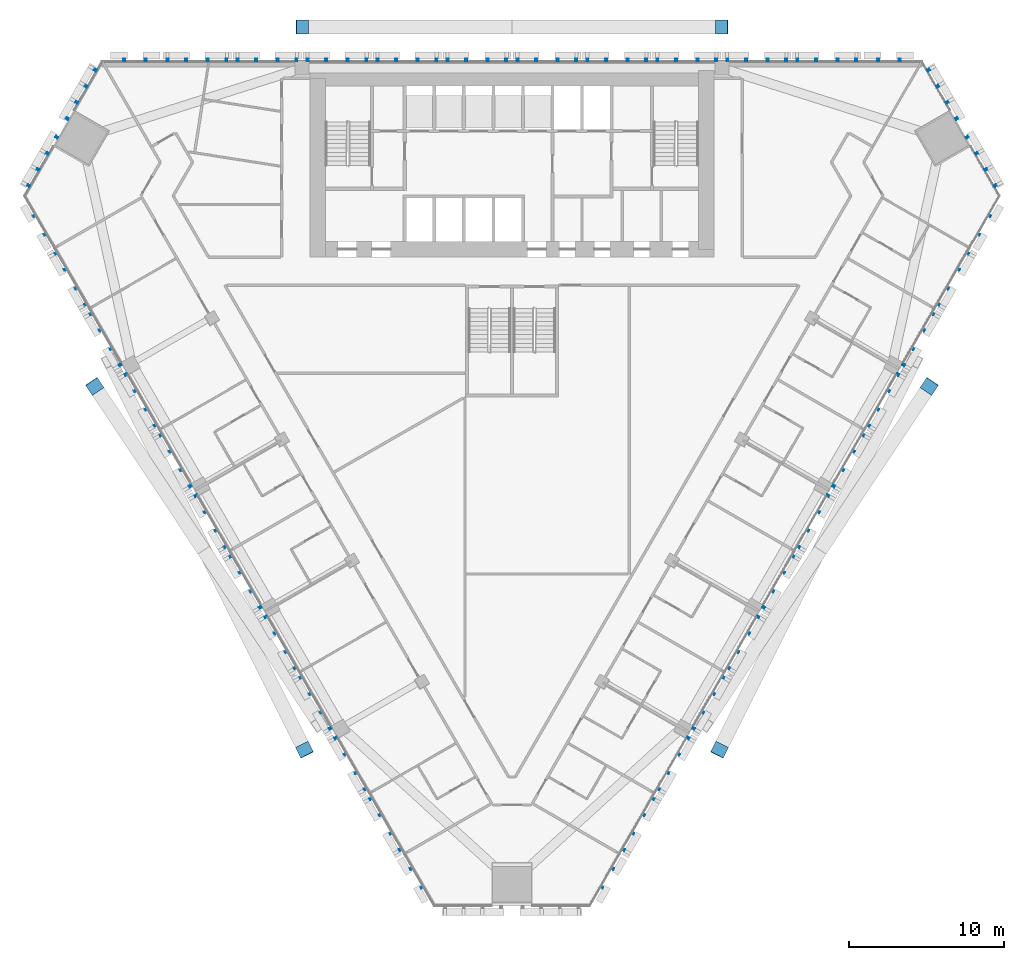
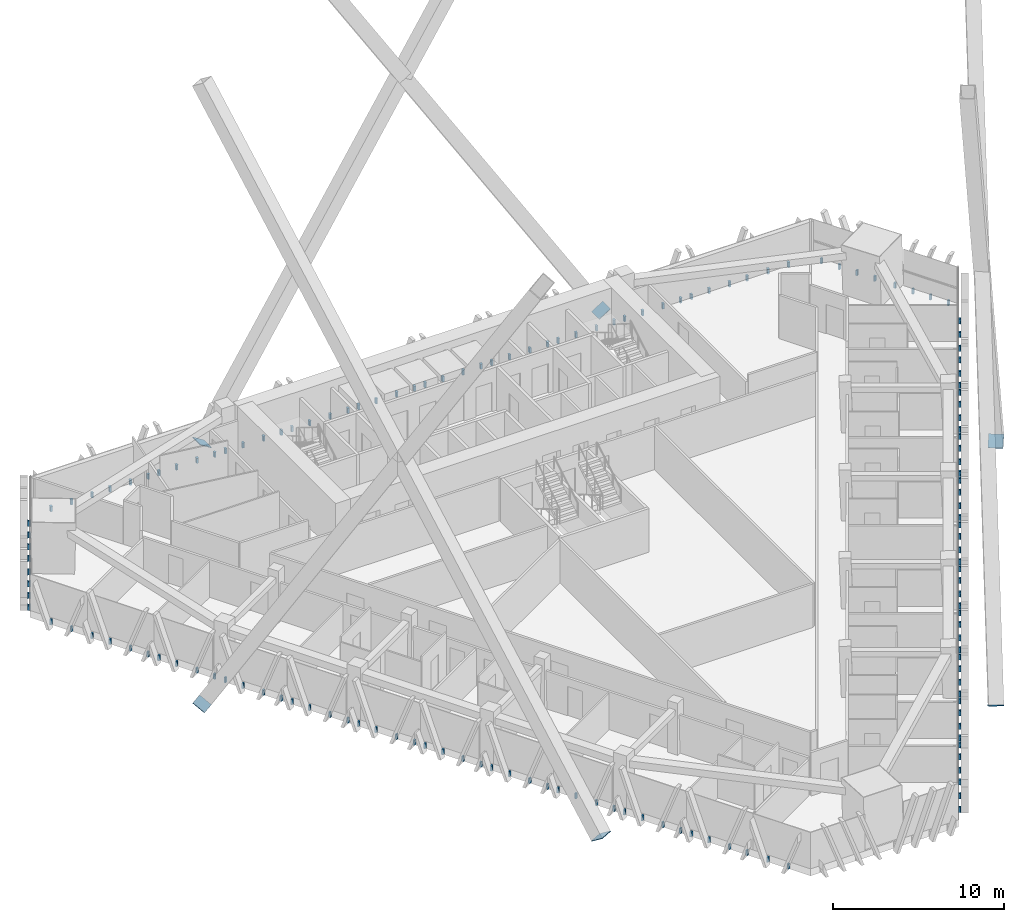
# One storey, part 21 of 24: 11 discrete accessories.
"""IFC4 building model written with IfcOpenShell, lengths in metres."""

from ifc_helpers import new_model, si_unit, direction, frame, origin, origin_2d, place, context, subcontext, project, spatial, polyline, rectangle, outline, extrude, source, transform, mapped, material, material_profile, profile_set, type_object, element, save


model = new_model("IFC4")

# Units and contexts
model_context = context("Model", 3, precision=1e-05, world=origin(), true_north=direction((0.0, 1.0)))
body_context = subcontext(model_context, "Body", "Model", "MODEL_VIEW")
ifc_project = project(units=[si_unit("LENGTHUNIT", "METRE"), si_unit("AREAUNIT", "SQUARE_METRE"), si_unit("VOLUMEUNIT", "CUBIC_METRE"), si_unit("PLANEANGLEUNIT", "RADIAN"), si_unit("MASSUNIT", "GRAM", prefix="KILO")], contexts=[model_context])

# Site, building, storey
site_placement = place(None, origin())
site = spatial("IfcSite", under=ifc_project, at=site_placement, CompositionType="ELEMENT")
building_placement = place(site_placement, origin())
building = spatial("IfcBuilding", under=site, at=building_placement, Name="Altiplano Prism Tower", CompositionType="ELEMENT")
storey_placement = place(building_placement, frame((0.0, 0.0, 27.0)))
storey = spatial("IfcBuildingStorey", under=building, at=storey_placement, Name="L05", CompositionType="ELEMENT", Elevation=27.0)

# Discrete accessories
ifc_material_1 = material(Name="Steel S355", Category="steel")
ifc_material_profile = material_profile(ifc_material_1, rectangle(XDim=0.89990234375, YDim=0.89990234375, at=origin_2d()), Name="Brace end plate 900x900x40")
ifc_profile_set = profile_set([ifc_material_profile], Name="Steel S355")
discrete_accessory_type_1 = type_object("IfcDiscreteAccessoryType", Name="Brace end plate 900x900x40", PredefinedType="ANCHORPLATE", material=ifc_profile_set)
for number, where, z_axis, x_axis, name in (
    (1, (98.5, 107.199951171875, -0.85009765625), (-0.530546985787, 0.0, 0.847655529016), (0.0, -1.0, 0.0), "Brace end plate Mega brace 1.0.1 end 1"),
    (2, (71.5, 107.199951171875, -0.85009765625), (0.530546985787, 0.0, 0.847655529016), (0.0, 1.0, 0.0), "Brace end plate Mega brace 1.0.3 end 1"),
    (3, (58.158203125, 84.09130859375, -0.85009765625), (0.286085874914, -0.426085345616, 0.858257624741), (0.830221130891, 0.557434187884, 0.0), "Brace end plate Mega brace 1.1.1 end 1"),
    (4, (71.658203125, 60.708740234375, -0.85009765625), (-0.243952330273, 0.48180585229, 0.841635539443), (-0.892157158155, -0.45172514337, 0.0), "Brace end plate Mega brace 1.1.3 end 1"),
    (5, (98.341796875, 60.708740234375, -0.85009765625), (0.243952330273, 0.48180585229, 0.841635539443), (-0.892157158155, 0.45172514337, 0.0), "Brace end plate Mega brace 1.2.1 end 1"),
    (6, (111.841796875, 84.09130859375, -0.85009765625), (-0.286085874914, -0.426085345616, 0.858257624741), (0.830221130891, -0.557434187884, 0.0), "Brace end plate Mega brace 1.2.3 end 1"),
):
    element("IfcDiscreteAccessory", number, at=place(storey_placement, frame(where, z_axis=z_axis, x_axis=x_axis)), inside=storey, type_object=discrete_accessory_type_1, Name=name, PredefinedType="ANCHORPLATE", context=body_context, shape_type="SweptSolid", body=[
        extrude(rectangle(XDim=0.89990234375, YDim=0.89990234375, at=origin_2d()), origin(), (0.0, 0.0, 1.0), 0.0400390625),
    ])
ifc_material_2 = material(Name="Stainless steel", Category="steel")
discrete_accessory_type_2 = type_object("IfcDiscreteAccessoryType", Name="Stone fin fixing prongs", PredefinedType="USERDEFINED", material=ifc_material_2)
shared_shape_1 = source(origin(), body_context, "Body", "SweptSolid", [
    extrude(outline(polyline([(-0.7509765625, 0.06005859375), (-0.631103515625, 0.06005859375), (-0.631103515625, 0.43994140625), (-0.7509765625, 0.43994140625), (-0.7509765625, 0.06005859375)])), frame((0.0, 0.0, 0.0), z_axis=(0.0, -1.0, 0.0), x_axis=(1.0, 0.0, 0.0)), (0.0, 0.0, 1.0), 0.14990234375),
    extrude(outline(polyline([(0.631103515625, 0.06005859375), (0.7509765625, 0.06005859375), (0.7509765625, 0.43994140625), (0.631103515625, 0.43994140625), (0.631103515625, 0.06005859375)])), frame((0.0, 0.0, 0.0), z_axis=(0.0, -1.0, 0.0), x_axis=(1.0, 0.0, 0.0)), (0.0, 0.0, 1.0), 0.14990234375),
])
shared_shape_2 = source(origin(), body_context, "Body", "SweptSolid", [
    extrude(outline(polyline([(-1.950927734375, 0.06005859375), (-1.8310546875, 0.06005859375), (-1.8310546875, 0.43994140625), (-1.950927734375, 0.43994140625), (-1.950927734375, 0.06005859375)])), frame((0.0, 0.0, 0.0), z_axis=(0.0, -1.0, 0.0), x_axis=(1.0, 0.0, 0.0)), (0.0, 0.0, 1.0), 0.14990234375),
    extrude(outline(polyline([(-0.7509765625, 0.06005859375), (-0.631103515625, 0.06005859375), (-0.631103515625, 0.43994140625), (-0.7509765625, 0.43994140625), (-0.7509765625, 0.06005859375)])), frame((0.0, 0.0, 0.0), z_axis=(0.0, -1.0, 0.0), x_axis=(1.0, 0.0, 0.0)), (0.0, 0.0, 1.0), 0.14990234375),
    extrude(outline(polyline([(0.631103515625, 0.06005859375), (0.7509765625, 0.06005859375), (0.7509765625, 0.43994140625), (0.631103515625, 0.43994140625), (0.631103515625, 0.06005859375)])), frame((0.0, 0.0, 0.0), z_axis=(0.0, -1.0, 0.0), x_axis=(1.0, 0.0, 0.0)), (0.0, 0.0, 1.0), 0.14990234375),
    extrude(outline(polyline([(1.8310546875, 0.06005859375), (1.950927734375, 0.06005859375), (1.950927734375, 0.43994140625), (1.8310546875, 0.43994140625), (1.8310546875, 0.06005859375)])), frame((0.0, 0.0, 0.0), z_axis=(0.0, -1.0, 0.0), x_axis=(1.0, 0.0, 0.0)), (0.0, 0.0, 1.0), 0.14990234375),
])
discrete_accessory_1_placement = place(storey_placement, origin())
element("IfcDiscreteAccessory", 7, at=discrete_accessory_1_placement, inside=storey, type_object=discrete_accessory_type_2, Name="Fin fixings L05 north face", ObjectType="BRACKET", PredefinedType="USERDEFINED", context=body_context, shape_type="MappedRepresentation", body=[
    mapped(shared_shape_1, transform((109.236572265625, 105.0, -0.5), x_axis=(-1.0, 0.0, 0.0), y_axis=(0.0, -1.0, 0.0), z_axis=(0.0, 0.0, 1.0))),
    mapped(shared_shape_2, transform((105.25, 105.0, -0.5), x_axis=(-1.0, 0.0, 0.0), y_axis=(0.0, -1.0, 0.0), z_axis=(0.0, 0.0, 1.0))),
    mapped(shared_shape_2, transform((100.75, 105.0, -0.5), x_axis=(-1.0, 0.0, 0.0), y_axis=(0.0, -1.0, 0.0), z_axis=(0.0, 0.0, 1.0))),
    mapped(shared_shape_2, transform((96.25, 105.0, -0.5), x_axis=(-1.0, 0.0, 0.0), y_axis=(0.0, -1.0, 0.0), z_axis=(0.0, 0.0, 1.0))),
    mapped(shared_shape_2, transform((91.75, 105.0, -0.5), x_axis=(-1.0, 0.0, 0.0), y_axis=(0.0, -1.0, 0.0), z_axis=(0.0, 0.0, 1.0))),
    mapped(shared_shape_2, transform((87.25, 105.0, -0.5), x_axis=(-1.0, 0.0, 0.0), y_axis=(0.0, -1.0, 0.0), z_axis=(0.0, 0.0, 1.0))),
    mapped(shared_shape_2, transform((82.75, 105.0, -0.5), x_axis=(-1.0, 0.0, 0.0), y_axis=(0.0, -1.0, 0.0), z_axis=(0.0, 0.0, 1.0))),
    mapped(shared_shape_2, transform((78.25, 105.0, -0.5), x_axis=(-1.0, 0.0, 0.0), y_axis=(0.0, -1.0, 0.0), z_axis=(0.0, 0.0, 1.0))),
    mapped(shared_shape_2, transform((73.75, 105.0, -0.5), x_axis=(-1.0, 0.0, 0.0), y_axis=(0.0, -1.0, 0.0), z_axis=(0.0, 0.0, 1.0))),
    mapped(shared_shape_2, transform((69.25, 105.0, -0.5), x_axis=(-1.0, 0.0, 0.0), y_axis=(0.0, -1.0, 0.0), z_axis=(0.0, 0.0, 1.0))),
    mapped(shared_shape_2, transform((64.75, 105.0, -0.5), x_axis=(-1.0, 0.0, 0.0), y_axis=(0.0, -1.0, 0.0), z_axis=(0.0, 0.0, 1.0))),
    mapped(shared_shape_1, transform((60.763427734375, 105.0, -0.5), x_axis=(-1.0, 0.0, 0.0), y_axis=(0.0, -1.0, 0.0), z_axis=(0.0, 0.0, 1.0))),
])
discrete_accessory_2_placement = place(storey_placement, origin())
element("IfcDiscreteAccessory", 8, at=discrete_accessory_2_placement, inside=storey, type_object=discrete_accessory_type_2, Name="Fin fixings L05 south-west face", ObjectType="BRACKET", PredefinedType="USERDEFINED", context=body_context, shape_type="MappedRepresentation", body=[
    mapped(shared_shape_1, transform((54.6953125, 94.489501953125, -0.5), x_axis=(0.499999999907, -0.866025403838, 0.0), y_axis=(0.866025403838, 0.499999999907, 0.0), z_axis=(0.0, 0.0, 1.0))),
    mapped(shared_shape_2, transform((56.6884765625, 91.037109375, -0.5), x_axis=(0.499999999907, -0.866025403838, 0.0), y_axis=(0.866025403838, 0.499999999907, 0.0), z_axis=(0.0, 0.0, 1.0))),
    mapped(shared_shape_2, transform((58.9384765625, 87.139892578125, -0.5), x_axis=(0.499999999907, -0.866025403838, 0.0), y_axis=(0.866025403838, 0.499999999907, 0.0), z_axis=(0.0, 0.0, 1.0))),
    mapped(shared_shape_2, transform((61.1884765625, 83.24267578125, -0.5), x_axis=(0.499999999907, -0.866025403838, 0.0), y_axis=(0.866025403838, 0.499999999907, 0.0), z_axis=(0.0, 0.0, 1.0))),
    mapped(shared_shape_2, transform((63.4384765625, 79.345703125, -0.5), x_axis=(0.499999999907, -0.866025403838, 0.0), y_axis=(0.866025403838, 0.499999999907, 0.0), z_axis=(0.0, 0.0, 1.0))),
    mapped(shared_shape_2, transform((65.6884765625, 75.448486328125, -0.5), x_axis=(0.499999999907, -0.866025403838, 0.0), y_axis=(0.866025403838, 0.499999999907, 0.0), z_axis=(0.0, 0.0, 1.0))),
    mapped(shared_shape_2, transform((67.9384765625, 71.551513671875, -0.5), x_axis=(0.499999999907, -0.866025403838, 0.0), y_axis=(0.866025403838, 0.499999999907, 0.0), z_axis=(0.0, 0.0, 1.0))),
    mapped(shared_shape_2, transform((70.1884765625, 67.654296875, -0.5), x_axis=(0.499999999907, -0.866025403838, 0.0), y_axis=(0.866025403838, 0.499999999907, 0.0), z_axis=(0.0, 0.0, 1.0))),
    mapped(shared_shape_2, transform((72.4384765625, 63.75732421875, -0.5), x_axis=(0.499999999907, -0.866025403838, 0.0), y_axis=(0.866025403838, 0.499999999907, 0.0), z_axis=(0.0, 0.0, 1.0))),
    mapped(shared_shape_2, transform((74.6884765625, 59.860107421875, -0.5), x_axis=(0.499999999907, -0.866025403838, 0.0), y_axis=(0.866025403838, 0.499999999907, 0.0), z_axis=(0.0, 0.0, 1.0))),
    mapped(shared_shape_2, transform((76.9384765625, 55.962890625, -0.5), x_axis=(0.499999999907, -0.866025403838, 0.0), y_axis=(0.866025403838, 0.499999999907, 0.0), z_axis=(0.0, 0.0, 1.0))),
    mapped(shared_shape_1, transform((78.931640625, 52.510498046875, -0.5), x_axis=(0.499999999907, -0.866025403838, 0.0), y_axis=(0.866025403838, 0.499999999907, 0.0), z_axis=(0.0, 0.0, 1.0))),
])
discrete_accessory_3_placement = place(storey_placement, origin())
element("IfcDiscreteAccessory", 9, at=discrete_accessory_3_placement, inside=storey, type_object=discrete_accessory_type_2, Name="Fin fixings L05 south-east face", ObjectType="BRACKET", PredefinedType="USERDEFINED", context=body_context, shape_type="MappedRepresentation", body=[
    mapped(shared_shape_1, transform((91.068359375, 52.510498046875, -0.5), x_axis=(0.499999999907, 0.866025403838, 0.0), y_axis=(-0.866025403838, 0.499999999907, 0.0), z_axis=(0.0, 0.0, 1.0))),
    mapped(shared_shape_2, transform((93.0615234375, 55.962890625, -0.5), x_axis=(0.499999999907, 0.866025403838, 0.0), y_axis=(-0.866025403838, 0.499999999907, 0.0), z_axis=(0.0, 0.0, 1.0))),
    mapped(shared_shape_2, transform((95.3115234375, 59.860107421875, -0.5), x_axis=(0.499999999907, 0.866025403838, 0.0), y_axis=(-0.866025403838, 0.499999999907, 0.0), z_axis=(0.0, 0.0, 1.0))),
    mapped(shared_shape_2, transform((97.5615234375, 63.75732421875, -0.5), x_axis=(0.499999999907, 0.866025403838, 0.0), y_axis=(-0.866025403838, 0.499999999907, 0.0), z_axis=(0.0, 0.0, 1.0))),
    mapped(shared_shape_2, transform((99.8115234375, 67.654296875, -0.5), x_axis=(0.499999999907, 0.866025403838, 0.0), y_axis=(-0.866025403838, 0.499999999907, 0.0), z_axis=(0.0, 0.0, 1.0))),
    mapped(shared_shape_2, transform((102.0615234375, 71.551513671875, -0.5), x_axis=(0.499999999907, 0.866025403838, 0.0), y_axis=(-0.866025403838, 0.499999999907, 0.0), z_axis=(0.0, 0.0, 1.0))),
    mapped(shared_shape_2, transform((104.3115234375, 75.448486328125, -0.5), x_axis=(0.499999999907, 0.866025403838, 0.0), y_axis=(-0.866025403838, 0.499999999907, 0.0), z_axis=(0.0, 0.0, 1.0))),
    mapped(shared_shape_2, transform((106.5615234375, 79.345703125, -0.5), x_axis=(0.499999999907, 0.866025403838, 0.0), y_axis=(-0.866025403838, 0.499999999907, 0.0), z_axis=(0.0, 0.0, 1.0))),
    mapped(shared_shape_2, transform((108.8115234375, 83.24267578125, -0.5), x_axis=(0.499999999907, 0.866025403838, 0.0), y_axis=(-0.866025403838, 0.499999999907, 0.0), z_axis=(0.0, 0.0, 1.0))),
    mapped(shared_shape_2, transform((111.0615234375, 87.139892578125, -0.5), x_axis=(0.499999999907, 0.866025403838, 0.0), y_axis=(-0.866025403838, 0.499999999907, 0.0), z_axis=(0.0, 0.0, 1.0))),
    mapped(shared_shape_2, transform((113.3115234375, 91.037109375, -0.5), x_axis=(0.499999999907, 0.866025403838, 0.0), y_axis=(-0.866025403838, 0.499999999907, 0.0), z_axis=(0.0, 0.0, 1.0))),
    mapped(shared_shape_1, transform((115.3046875, 94.489501953125, -0.5), x_axis=(0.499999999907, 0.866025403838, 0.0), y_axis=(-0.866025403838, 0.499999999907, 0.0), z_axis=(0.0, 0.0, 1.0))),
])
shared_shape_3 = source(origin(), body_context, "Body", "SweptSolid", [
    extrude(outline(polyline([(-4.35107421875, 0.06005859375), (-4.23095703125, 0.06005859375), (-4.23095703125, 0.43994140625), (-4.35107421875, 0.43994140625), (-4.35107421875, 0.06005859375)])), frame((0.0, 0.0, 0.0), z_axis=(0.0, -1.0, 0.0), x_axis=(1.0, 0.0, 0.0)), (0.0, 0.0, 1.0), 0.14990234375),
    extrude(outline(polyline([(-3.15087890625, 0.06005859375), (-3.031005859375, 0.06005859375), (-3.031005859375, 0.43994140625), (-3.15087890625, 0.43994140625), (-3.15087890625, 0.06005859375)])), frame((0.0, 0.0, 0.0), z_axis=(0.0, -1.0, 0.0), x_axis=(1.0, 0.0, 0.0)), (0.0, 0.0, 1.0), 0.14990234375),
    extrude(outline(polyline([(-1.950927734375, 0.06005859375), (-1.8310546875, 0.06005859375), (-1.8310546875, 0.43994140625), (-1.950927734375, 0.43994140625), (-1.950927734375, 0.06005859375)])), frame((0.0, 0.0, 0.0), z_axis=(0.0, -1.0, 0.0), x_axis=(1.0, 0.0, 0.0)), (0.0, 0.0, 1.0), 0.14990234375),
    extrude(outline(polyline([(-0.7509765625, 0.06005859375), (-0.631103515625, 0.06005859375), (-0.631103515625, 0.43994140625), (-0.7509765625, 0.43994140625), (-0.7509765625, 0.06005859375)])), frame((0.0, 0.0, 0.0), z_axis=(0.0, -1.0, 0.0), x_axis=(1.0, 0.0, 0.0)), (0.0, 0.0, 1.0), 0.14990234375),
    extrude(outline(polyline([(0.631103515625, 0.06005859375), (0.7509765625, 0.06005859375), (0.7509765625, 0.43994140625), (0.631103515625, 0.43994140625), (0.631103515625, 0.06005859375)])), frame((0.0, 0.0, 0.0), z_axis=(0.0, -1.0, 0.0), x_axis=(1.0, 0.0, 0.0)), (0.0, 0.0, 1.0), 0.14990234375),
    extrude(outline(polyline([(1.8310546875, 0.06005859375), (1.950927734375, 0.06005859375), (1.950927734375, 0.43994140625), (1.8310546875, 0.43994140625), (1.8310546875, 0.06005859375)])), frame((0.0, 0.0, 0.0), z_axis=(0.0, -1.0, 0.0), x_axis=(1.0, 0.0, 0.0)), (0.0, 0.0, 1.0), 0.14990234375),
    extrude(outline(polyline([(3.031005859375, 0.06005859375), (3.15087890625, 0.06005859375), (3.15087890625, 0.43994140625), (3.031005859375, 0.43994140625), (3.031005859375, 0.06005859375)])), frame((0.0, 0.0, 0.0), z_axis=(0.0, -1.0, 0.0), x_axis=(1.0, 0.0, 0.0)), (0.0, 0.0, 1.0), 0.14990234375),
    extrude(outline(polyline([(4.23095703125, 0.06005859375), (4.35107421875, 0.06005859375), (4.35107421875, 0.43994140625), (4.23095703125, 0.43994140625), (4.23095703125, 0.06005859375)])), frame((0.0, 0.0, 0.0), z_axis=(0.0, -1.0, 0.0), x_axis=(1.0, 0.0, 0.0)), (0.0, 0.0, 1.0), 0.14990234375),
])
discrete_accessory_4_placement = place(storey_placement, origin())
element("IfcDiscreteAccessory", 10, at=discrete_accessory_4_placement, inside=storey, type_object=discrete_accessory_type_2, Name="Fin fixings L05 north-west chamfer", ObjectType="BRACKET", PredefinedType="USERDEFINED", context=body_context, shape_type="MappedRepresentation", body=[
    mapped(shared_shape_3, transform((56.126953125, 100.669921875, -0.5), x_axis=(-0.50000000184, -0.866025402722, 0.0), y_axis=(0.866025402722, -0.50000000184, 0.0), z_axis=(0.0, 0.0, 1.0))),
])
discrete_accessory_5_placement = place(storey_placement, origin())
element("IfcDiscreteAccessory", 11, at=discrete_accessory_5_placement, inside=storey, type_object=discrete_accessory_type_2, Name="Fin fixings L05 north-east chamfer", ObjectType="BRACKET", PredefinedType="USERDEFINED", context=body_context, shape_type="MappedRepresentation", body=[
    mapped(shared_shape_3, transform((113.873046875, 100.669921875, -0.5), x_axis=(-0.50000000184, 0.866025402722, 0.0), y_axis=(-0.866025402722, -0.50000000184, 0.0), z_axis=(0.0, 0.0, 1.0))),
])

save(model, "model.ifc")
